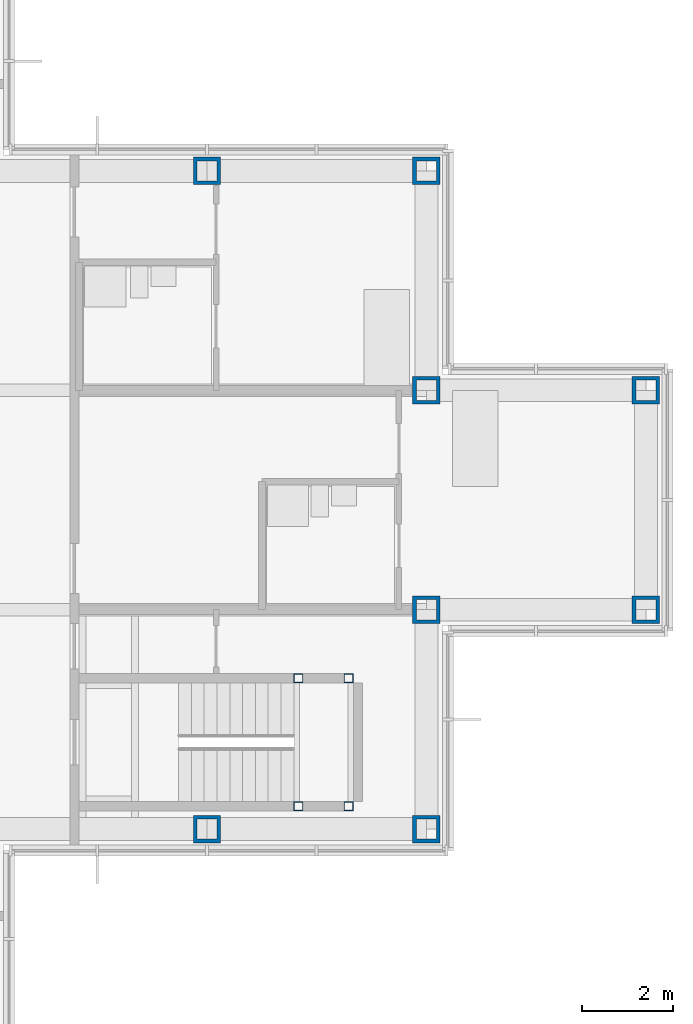
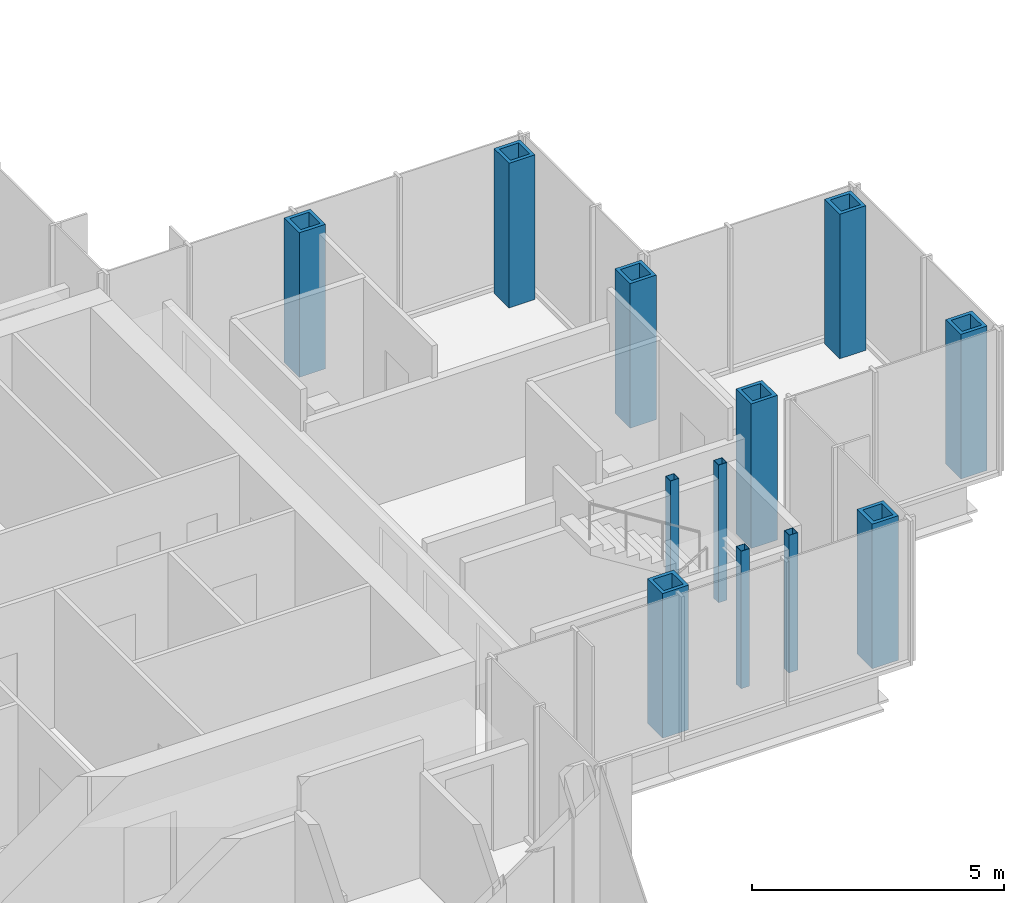
# One storey, part 4 of 17: 12 columns.
"""IFC4 building model written with IfcOpenShell, lengths in metres."""

from ifc_helpers import new_model, si_unit, direction, frame, origin, origin_2d, place, context, subcontext, project, spatial, hollow_rectangle, extrude, material, material_profile, profile_set, type_object, element, save


model = new_model("IFC4")

# Units and contexts
model_context = context("Model", 3, precision=1e-05, world=origin(), true_north=direction((0.0, 1.0)))
body_context = subcontext(model_context, "Body", "Model", "MODEL_VIEW")
ifc_project = project(units=[si_unit("LENGTHUNIT", "METRE"), si_unit("AREAUNIT", "SQUARE_METRE"), si_unit("VOLUMEUNIT", "CUBIC_METRE"), si_unit("PLANEANGLEUNIT", "RADIAN"), si_unit("MASSUNIT", "GRAM", prefix="KILO")], contexts=[model_context])

# Site, building, storey
site_placement = place(None, origin())
site = spatial("IfcSite", under=ifc_project, at=site_placement, CompositionType="ELEMENT")
building_placement = place(site_placement, origin())
building = spatial("IfcBuilding", under=site, at=building_placement, Name="Kvirike Care Tower", CompositionType="ELEMENT")
storey_placement = place(building_placement, frame((0.0, 0.0, 183.0)))
storey = spatial("IfcBuildingStorey", under=building, at=storey_placement, Name="L50", CompositionType="ELEMENT", Elevation=183.0)

# Columns
ifc_material_1 = material(Name="Steel S460", Category="steel")
ifc_material_profile_1 = material_profile(ifc_material_1, hollow_rectangle(XDim=0.60009765625, YDim=0.60009765625, WallThickness=0.080078125, at=origin_2d()), Name="BX 600x600x80")
ifc_profile_set_1 = profile_set([ifc_material_profile_1], Name="Steel S460")
column_type_1 = type_object("IfcColumnType", Name="COLUMN BX 600x600x80", PredefinedType="COLUMN", material=ifc_profile_set_1)
for number, where, z_axis, x_axis, name in (
    (1, (33.60009765625, 28.800048828125, 0.0), (0.0, 0.0, 1.0), (0.0, 1.0, 0.0), "Column G10 L50"),
    (2, (33.60009765625, 43.199951171875, 0.0), (0.0, 0.0, 1.0), (0.0, 1.0, 0.0), "Column K10 L50"),
    (3, (38.39990234375, 28.800048828125, 0.0), (0.0, 0.0, 1.0), (0.0, 1.0, 0.0), "Column G11 L50"),
    (4, (38.39990234375, 33.60009765625, 0.0), (0.0, 0.0, 1.0), (0.0, 1.0, 0.0), "Column H11 L50"),
    (5, (38.39990234375, 38.39990234375, 0.0), (0.0, 0.0, 1.0), (0.0, 1.0, 0.0), "Column J11 L50"),
    (6, (38.39990234375, 43.199951171875, 0.0), (0.0, 0.0, 1.0), (0.0, 1.0, 0.0), "Column K11 L50"),
    (7, (43.199951171875, 33.60009765625, 0.0), (0.0, 0.0, 1.0), (0.0, 1.0, 0.0), "Column H12 L50"),
    (8, (43.199951171875, 38.39990234375, 0.0), (0.0, 0.0, 1.0), (0.0, 1.0, 0.0), "Column J12 L50"),
):
    element("IfcColumn", number, at=place(storey_placement, frame(where, z_axis=z_axis, x_axis=x_axis)), inside=storey, type_object=column_type_1, Name=name, PredefinedType="COLUMN", context=body_context, shape_type="SweptSolid", body=[
        extrude(hollow_rectangle(XDim=0.60009765625, YDim=0.60009765625, WallThickness=0.080078125, at=origin_2d()), origin(), (0.0, 0.0, 1.0), 3.5),
    ])
ifc_material_2 = material(Name="Steel S460", Category="steel")
ifc_material_profile_2 = material_profile(ifc_material_2, hollow_rectangle(XDim=0.199951171875, YDim=0.199951171875, WallThickness=0.008056640625, at=origin_2d()), Name="SHS 200x200x8")
ifc_profile_set_2 = profile_set([ifc_material_profile_2], Name="Steel S460")
column_type_2 = type_object("IfcColumnType", Name="STAIR POST SHS 200x200x8", PredefinedType="COLUMN", material=ifc_profile_set_2)
for number, where, z_axis, x_axis, name in (
    (9, (36.699951171875, 29.300048828125, 0.0), (0.0, 0.0, 1.0), (1.0, 0.0, 0.0), "Stair 2 post 1 L50"),
    (10, (36.699951171875, 32.10009765625, 0.0), (0.0, 0.0, 1.0), (1.0, 0.0, 0.0), "Stair 2 post 2 L50"),
    (11, (35.60009765625, 29.300048828125, 0.0), (0.0, 0.0, 1.0), (1.0, 0.0, 0.0), "Stair 2 post 3 L50"),
    (12, (35.60009765625, 32.10009765625, 0.0), (0.0, 0.0, 1.0), (1.0, 0.0, 0.0), "Stair 2 post 4 L50"),
):
    element("IfcColumn", number, at=place(storey_placement, frame(where, z_axis=z_axis, x_axis=x_axis)), inside=storey, type_object=column_type_2, Name=name, PredefinedType="COLUMN", context=body_context, shape_type="SweptSolid", body=[
        extrude(hollow_rectangle(XDim=0.199951171875, YDim=0.199951171875, WallThickness=0.008056640625, at=origin_2d()), origin(), (0.0, 0.0, 1.0), 3.330078125),
    ])

save(model, "model.ifc")
